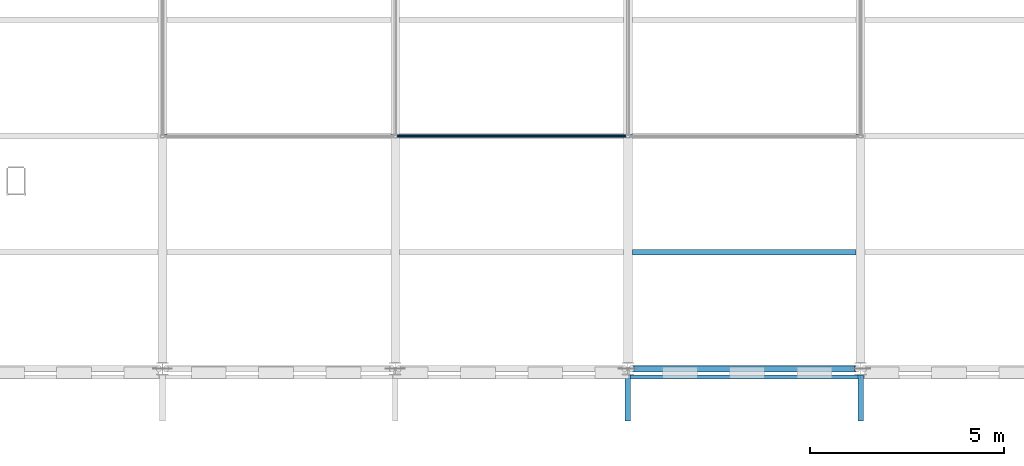
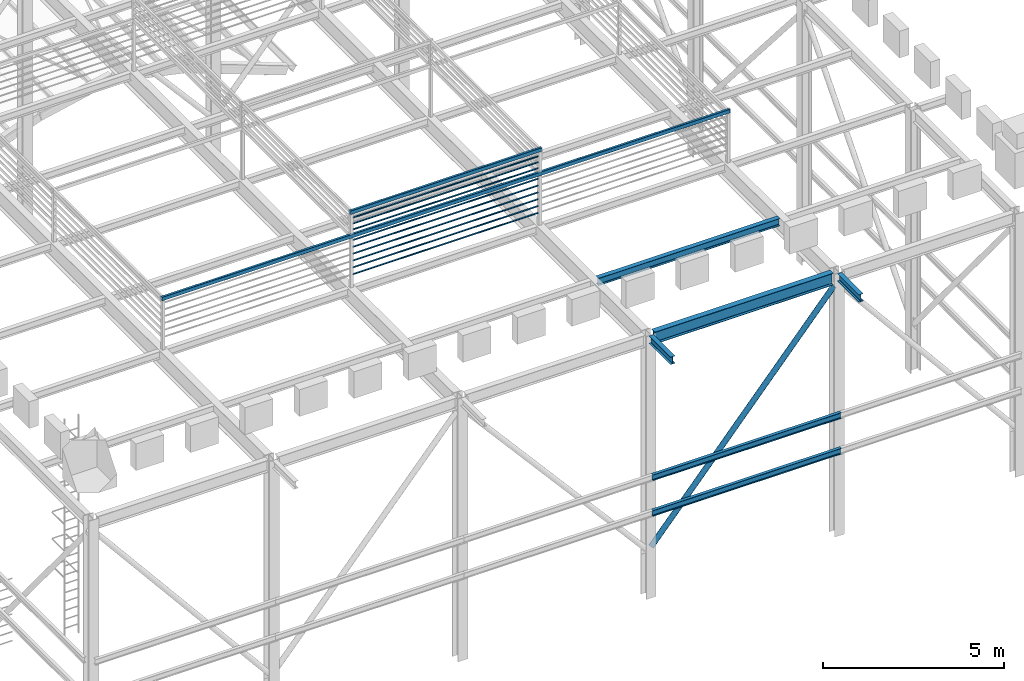
# One storey, part 7 of 57: 10 members, 8 beams.
"""IFC4 building model written with IfcOpenShell, lengths in metres."""

from ifc_helpers import new_model, si_unit, direction, frame, origin, origin_2d, place, context, subcontext, project, spatial, hollow_rectangle, hollow_circle, i_section, extrude, material, material_profile, profile_set, type_object, element, save


model = new_model("IFC4")

# Units and contexts
model_context = context("Model", 3, precision=1e-05, world=origin(), true_north=direction((0.0, 1.0)))
body_context = subcontext(model_context, "Body", "Model", "MODEL_VIEW")
ifc_project = project(units=[si_unit("LENGTHUNIT", "METRE"), si_unit("AREAUNIT", "SQUARE_METRE"), si_unit("VOLUMEUNIT", "CUBIC_METRE"), si_unit("PLANEANGLEUNIT", "RADIAN"), si_unit("MASSUNIT", "GRAM", prefix="KILO")], contexts=[model_context])

# Site, building, storey
site_placement = place(None, origin())
site = spatial("IfcSite", under=ifc_project, at=site_placement, CompositionType="ELEMENT")
building_placement = place(site_placement, origin())
building = spatial("IfcBuilding", under=site, at=building_placement, Name="Saffron Lane Theatres", CompositionType="ELEMENT")
storey_placement = place(building_placement, frame((0.0, 0.0, 28.0)))
storey = spatial("IfcBuildingStorey", under=building, at=storey_placement, Name="Upper Roof", CompositionType="ELEMENT", Elevation=28.0)

# Beams
ifc_material_1 = material(Name="Steel Grade 350", Category="steel")
ifc_material_profile_1 = material_profile(ifc_material_1, hollow_rectangle(XDim=0.074951171875, YDim=0.125, WallThickness=0.0048828125, InnerFilletRadius=0.00244140625, OuterFilletRadius=0.007568359375, at=origin_2d()))
ifc_profile_set_1 = profile_set([ifc_material_profile_1], Name="Steel Grade 350")
beam_type_1 = type_object("IfcBeamType", Name="ST-LANTERN RING 125x75x5 RHS", PredefinedType="BEAM", material=ifc_profile_set_1)
beam_1_placement = place(storey_placement, frame((23.949951171875, 36.25, 10.5625), z_axis=(1.0, 0.0, 0.0), x_axis=(0.0, 1.0, 0.0)))
element("IfcBeam", 1, at=beam_1_placement, inside=storey, type_object=beam_type_1, Name="LR1", PredefinedType="BEAM", context=body_context, shape_type="SweptSolid", body=[
    extrude(hollow_rectangle(XDim=0.074951171875, YDim=0.125, WallThickness=0.0048828125, InnerFilletRadius=0.00244140625, OuterFilletRadius=0.007568359375, at=origin_2d()), origin(), (0.0, 0.0, 1.0), 18.10009765625),
])
beam_2_placement = place(storey_placement, frame((29.949951171875, 36.25, 11.367431640625), z_axis=(1.0, 0.0, 0.0), x_axis=(0.0, 1.0, 0.0)))
element("IfcBeam", 2, at=beam_2_placement, inside=storey, type_object=beam_type_1, Name="LR8", PredefinedType="BEAM", context=body_context, shape_type="SweptSolid", body=[
    extrude(hollow_rectangle(XDim=0.074951171875, YDim=0.125, WallThickness=0.0048828125, InnerFilletRadius=0.00244140625, OuterFilletRadius=0.007568359375, at=origin_2d()), origin(), (0.0, 0.0, 1.0), 6.10009765625),
])

# Members
ifc_material_2 = material(Name="Steel Grade 350", Category="steel")
ifc_material_profile_2 = material_profile(ifc_material_2, hollow_rectangle(XDim=0.034912109375, YDim=0.06494140625, WallThickness=0.0029296875, InnerFilletRadius=0.00146484375, OuterFilletRadius=0.00439453125, at=origin_2d()))
ifc_profile_set_2 = profile_set([ifc_material_profile_2], Name="Steel Grade 350")
member_type_1 = type_object("IfcMemberType", Name="ST-LOUVRE SLAT 65x35x3 RHS", PredefinedType="MEMBER", material=ifc_profile_set_2)
for number, where, z_axis, x_axis, name in (
    (3, (30.050048828125, 36.25, 9.25), (1.0, 0.0, 0.0), (0.0, 0.819152044289, 0.573576436351), "LV2"),
    (4, (30.050048828125, 36.25, 9.47998046875), (1.0, 0.0, 0.0), (0.0, 0.819152044289, 0.573576436351), "LV12"),
    (5, (30.050048828125, 36.25, 9.7099609375), (1.0, 0.0, 0.0), (0.0, 0.819152044289, 0.573576436351), "LV22"),
    (6, (30.050048828125, 36.25, 9.93994140625), (1.0, 0.0, 0.0), (0.0, 0.819152044289, 0.573576436351), "LV32"),
    (7, (30.050048828125, 36.25, 10.169921875), (1.0, 0.0, 0.0), (0.0, 0.819152044289, 0.573576436351), "LV42"),
    (8, (30.050048828125, 36.25, 10.39990234375), (1.0, 0.0, 0.0), (0.0, 0.819152044289, 0.573576436351), "LV52"),
    (9, (30.050048828125, 36.25, 10.7548828125), (1.0, 0.0, 0.0), (0.0, 0.819152044289, 0.573576436351), "LV61"),
    (10, (30.050048828125, 36.25, 10.955078125), (1.0, 0.0, 0.0), (0.0, 0.819152044289, 0.573576436351), "LV67"),
    (11, (30.050048828125, 36.25, 11.155029296875), (1.0, 0.0, 0.0), (0.0, 0.819152044289, 0.573576436351), "LV73"),
):
    element("IfcMember", number, at=place(storey_placement, frame(where, z_axis=z_axis, x_axis=x_axis)), inside=storey, type_object=member_type_1, Name=name, PredefinedType="MEMBER", context=body_context, shape_type="SweptSolid", body=[
        extrude(hollow_rectangle(XDim=0.034912109375, YDim=0.06494140625, WallThickness=0.0029296875, InnerFilletRadius=0.00146484375, OuterFilletRadius=0.00439453125, at=origin_2d()), origin(), (0.0, 0.0, 1.0), 5.89990234375),
    ])

# Beams
ifc_material_3 = material(Name="Steel Grade 350", Category="steel")
ifc_material_profile_3 = material_profile(ifc_material_3, i_section(OverallWidth=0.177978515625, OverallDepth=0.406005859375, WebThickness=0.0078125, FlangeThickness=0.0126953125, FilletRadius=0.010986328125, at=origin_2d()))
ifc_profile_set_3 = profile_set([ifc_material_profile_3], Name="Steel Grade 350")
beam_type_2 = type_object("IfcBeamType", Name="ST-ROOF GIRDER 410UB59.7", PredefinedType="BEAM", material=ifc_profile_set_3)
beam_3_placement = place(storey_placement, frame((36.155517578125, 30.25, 8.64697265625), z_axis=(1.0, 0.0, 0.0), x_axis=(0.0, 1.0, 0.0)))
element("IfcBeam", 12, at=beam_3_placement, inside=storey, type_object=beam_type_2, Name="TR4", PredefinedType="BEAM", context=body_context, shape_type="SweptSolid", body=[
    extrude(i_section(OverallWidth=0.177978515625, OverallDepth=0.406005859375, WebThickness=0.0078125, FlangeThickness=0.0126953125, FilletRadius=0.010986328125, at=origin_2d()), origin(), (0.0, 0.0, 1.0), 5.68896484375),
])
ifc_material_4 = material(Name="Steel Grade 350", Category="steel")
ifc_material_profile_4 = material_profile(ifc_material_4, i_section(OverallWidth=0.14599609375, OverallDepth=0.251953125, WebThickness=0.006103515625, FlangeThickness=0.008544921875, FilletRadius=0.011962890625, at=origin_2d()))
ifc_profile_set_4 = profile_set([ifc_material_profile_4], Name="Steel Grade 350")
beam_type_3 = type_object("IfcBeamType", Name="ST-ROOF JOIST 250UB31.4", PredefinedType="JOIST", material=ifc_profile_set_4)
beam_4_placement = place(storey_placement, frame((36.114013671875, 33.25, 8.72412109375), z_axis=(1.0, 0.0, 0.0), x_axis=(0.0, 1.0, 0.0)))
element("IfcBeam", 13, at=beam_4_placement, inside=storey, type_object=beam_type_3, Name="TT4", PredefinedType="JOIST", context=body_context, shape_type="SweptSolid", body=[
    extrude(i_section(OverallWidth=0.14599609375, OverallDepth=0.251953125, WebThickness=0.006103515625, FlangeThickness=0.008544921875, FilletRadius=0.011962890625, at=origin_2d()), origin(), (0.0, 0.0, 1.0), 5.77197265625),
])
for number, where, z_axis, x_axis, name in (
    (14, (36.0, 30.08642578125, 8.72412109375), (0.0, -1.0, 0.0), (1.0, 0.0, 0.0), "TE5"),
    (15, (42.0, 30.08642578125, 8.72412109375), (0.0, -1.0, 0.0), (1.0, 0.0, 0.0), "TE7"),
):
    element("IfcBeam", number, at=place(storey_placement, frame(where, z_axis=z_axis, x_axis=x_axis)), inside=storey, type_object=beam_type_3, Name=name, PredefinedType="JOIST", context=body_context, shape_type="SweptSolid", body=[
        extrude(i_section(OverallWidth=0.14599609375, OverallDepth=0.251953125, WebThickness=0.006103515625, FlangeThickness=0.008544921875, FilletRadius=0.011962890625, at=origin_2d()), origin(), (0.0, 0.0, 1.0), 1.1865234375),
    ])

# Member
ifc_material_5 = material(Name="Steel Grade 350", Category="steel")
ifc_material_profile_5 = material_profile(ifc_material_5, hollow_circle(Radius=0.084228515625, WallThickness=0.00634765625, at=origin_2d()))
ifc_profile_set_5 = profile_set([ifc_material_profile_5], Name="Steel Grade 350")
member_type_2 = type_object("IfcMemberType", Name="ST-TOWER BRACE HI 168.3x6.4 CHS", PredefinedType="BRACE", material=ifc_profile_set_5)
member_placement = place(storey_placement, frame((36.091552734375, 30.25, 1.60595703125), z_axis=(0.653796315822, 0.0, 0.756670587123), x_axis=(0.0, 1.0, 0.0)))
element("IfcMember", 16, at=member_placement, inside=storey, type_object=member_type_2, Name="TB8", PredefinedType="BRACE", context=body_context, shape_type="SweptSolid", body=[
    extrude(hollow_circle(Radius=0.084228515625, WallThickness=0.00634765625, at=origin_2d()), origin(), (0.0, 0.0, 1.0), 8.897216796875),
])

# Beams
ifc_material_6 = material(Name="Steel Grade 350", Category="steel")
ifc_material_profile_6 = material_profile(ifc_material_6, i_section(OverallWidth=0.09912109375, OverallDepth=0.197998046875, WebThickness=0.00439453125, FlangeThickness=0.007080078125, FilletRadius=0.010986328125, at=origin_2d()))
ifc_profile_set_6 = profile_set([ifc_material_profile_6], Name="Steel Grade 350")
beam_type_4 = type_object("IfcBeamType", Name="ST-TOWER GIRT 200UB18.2", PredefinedType="BEAM", material=ifc_profile_set_6)
for number, where, z_axis, x_axis, name in (
    (17, (36.0, 30.037109375, 2.90087890625), (1.0, 0.0, 0.0), (0.0, 1.0, 0.0), "TX19"),
    (18, (36.0, 30.037109375, 4.10107421875), (1.0, 0.0, 0.0), (0.0, 1.0, 0.0), "TX24"),
):
    element("IfcBeam", number, at=place(storey_placement, frame(where, z_axis=z_axis, x_axis=x_axis)), inside=storey, type_object=beam_type_4, Name=name, PredefinedType="BEAM", context=body_context, shape_type="SweptSolid", body=[
        extrude(i_section(OverallWidth=0.09912109375, OverallDepth=0.197998046875, WebThickness=0.00439453125, FlangeThickness=0.007080078125, FilletRadius=0.010986328125, at=origin_2d()), origin(), (0.0, 0.0, 1.0), 6.0),
    ])

save(model, "model.ifc")
